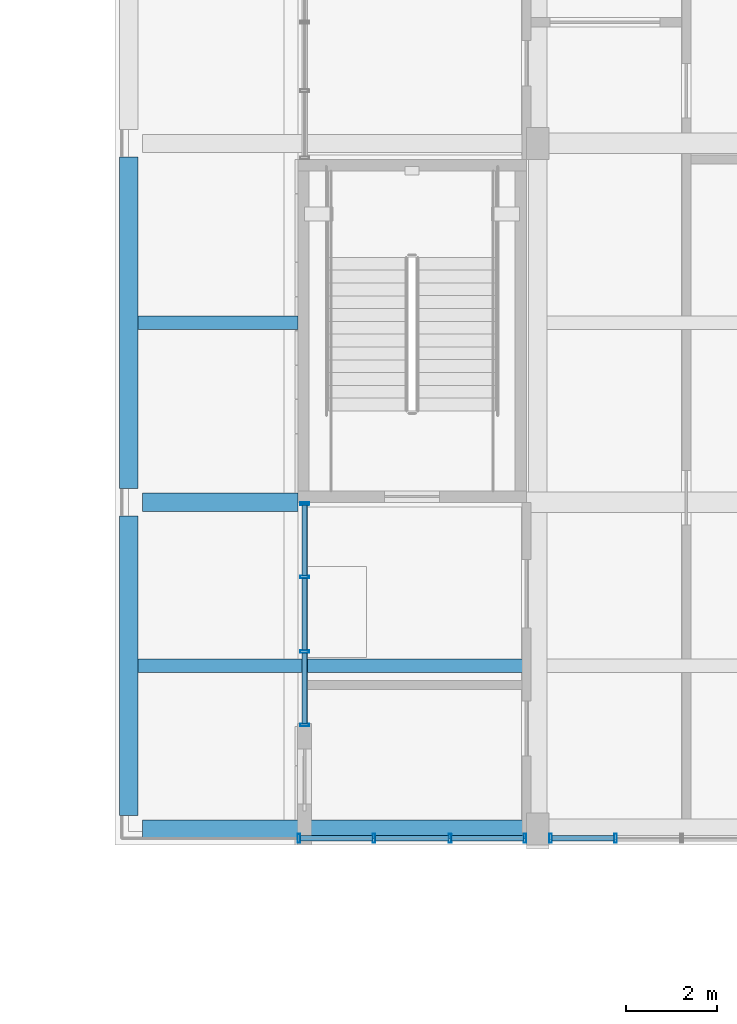
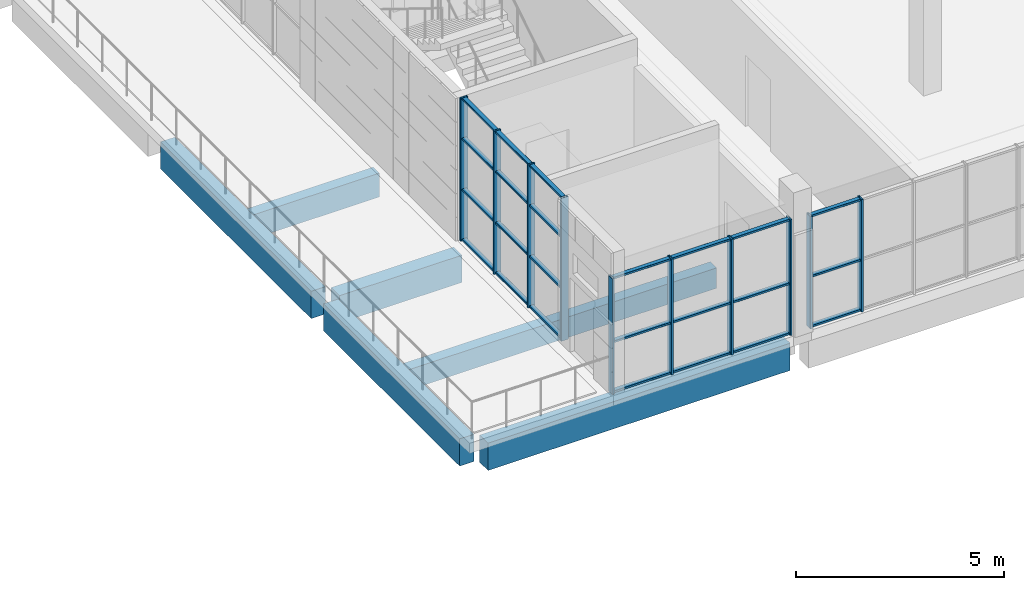
# One storey, part 6 of 36: 34 members, 6 beams, 3 elements without a shape of their own.
"""IFC4 building model written with IfcOpenShell, lengths in metres."""

from ifc_helpers import new_model, si_unit, direction, frame, origin, origin_2d, place, context, subcontext, project, spatial, rectangle, hollow_rectangle, extrude, material, material_profile, profile_set, type_object, element, aggregate, save


model = new_model("IFC4")

# Units and contexts
model_context = context("Model", 3, precision=1e-05, world=origin(), true_north=direction((0.0, 1.0)))
body_context = subcontext(model_context, "Body", "Model", "MODEL_VIEW")
ifc_project = project(units=[si_unit("LENGTHUNIT", "METRE"), si_unit("AREAUNIT", "SQUARE_METRE"), si_unit("VOLUMEUNIT", "CUBIC_METRE"), si_unit("PLANEANGLEUNIT", "RADIAN"), si_unit("MASSUNIT", "GRAM", prefix="KILO")], contexts=[model_context])

# Site, building, storey
site_placement = place(None, origin())
site = spatial("IfcSite", under=ifc_project, at=site_placement, CompositionType="ELEMENT")
building_placement = place(site_placement, origin())
building = spatial("IfcBuilding", under=site, at=building_placement, Name="Sun Court Science Centre", CompositionType="ELEMENT")
storey_placement = place(building_placement, frame((0.0, 0.0, 24.75)))
storey = spatial("IfcBuildingStorey", under=building, at=storey_placement, Name="L05", CompositionType="ELEMENT", Elevation=24.75)

# Curtain wall, members
ifc_material_1 = material(Name="Aluminium EN AW-6063 T6", Category="aluminium")
curtain_wall_type = type_object("IfcCurtainWallType", Name="Laboratory tall bay curtain wall 1500", PredefinedType="NOTDEFINED", material=ifc_material_1)
curtain_wall_1_placement = place(storey_placement, origin())
curtain_wall_1 = element("IfcCurtainWall", 1, at=curtain_wall_1_placement, inside=storey, type_object=curtain_wall_type, Name="Curtain wall V4 W5 L05 01", PredefinedType="NOTDEFINED")
ifc_material_2 = material(Name="Aluminium EN AW-6063 T6", Category="aluminium")
ifc_material_profile_1 = material_profile(ifc_material_2, hollow_rectangle(XDim=0.06005859375, YDim=0.199951171875, WallThickness=0.0048828125, InnerFilletRadius=0.0048828125, OuterFilletRadius=0.007568359375, at=origin_2d()), Name="AL 60x200x5")
ifc_profile_set_1 = profile_set([ifc_material_profile_1], Name="Aluminium EN AW-6063 T6")
member_type_1 = type_object("IfcMemberType", Name="Curtain wall mullion AL 60x200", PredefinedType="MULLION", material=ifc_profile_set_1)
member_1_placement = place(storey_placement, frame((82.14990234375, 31.1298828125, 0.0), z_axis=(0.0, 0.0, 1.0), x_axis=(0.0, 1.0, 0.0)))
member_1 = element("IfcMember", 2, at=member_1_placement, type_object=member_type_1, Name="CW2-44 mullion 1", PredefinedType="MULLION", context=body_context, shape_type="SweptSolid", body=[
    extrude(hollow_rectangle(XDim=0.06005859375, YDim=0.199951171875, WallThickness=0.0048828125, InnerFilletRadius=0.0048828125, OuterFilletRadius=0.007568359375, at=origin_2d()), origin(), (0.0, 0.0, 1.0), 4.199951171875),
])
member_2_placement = place(storey_placement, frame((82.14990234375, 32.7333984375, 0.0), z_axis=(0.0, 0.0, 1.0), x_axis=(0.0, 1.0, 0.0)))
member_2 = element("IfcMember", 3, at=member_2_placement, type_object=member_type_1, Name="CW2-44 mullion 2", PredefinedType="MULLION", context=body_context, shape_type="SweptSolid", body=[
    extrude(hollow_rectangle(XDim=0.06005859375, YDim=0.199951171875, WallThickness=0.0048828125, InnerFilletRadius=0.0048828125, OuterFilletRadius=0.007568359375, at=origin_2d()), origin(), (0.0, 0.0, 1.0), 4.199951171875),
])
member_3_placement = place(storey_placement, frame((82.14990234375, 34.36669921875, 0.0), z_axis=(0.0, 0.0, 1.0), x_axis=(0.0, 1.0, 0.0)))
member_3 = element("IfcMember", 4, at=member_3_placement, type_object=member_type_1, Name="CW2-44 mullion 3", PredefinedType="MULLION", context=body_context, shape_type="SweptSolid", body=[
    extrude(hollow_rectangle(XDim=0.06005859375, YDim=0.199951171875, WallThickness=0.0048828125, InnerFilletRadius=0.0048828125, OuterFilletRadius=0.007568359375, at=origin_2d()), origin(), (0.0, 0.0, 1.0), 4.199951171875),
])
member_4_placement = place(storey_placement, frame((82.14990234375, 35.969970703125, 0.0), z_axis=(0.0, 0.0, 1.0), x_axis=(0.0, 1.0, 0.0)))
member_4 = element("IfcMember", 5, at=member_4_placement, type_object=member_type_1, Name="CW2-44 mullion 4", PredefinedType="MULLION", context=body_context, shape_type="SweptSolid", body=[
    extrude(hollow_rectangle(XDim=0.06005859375, YDim=0.199951171875, WallThickness=0.0048828125, InnerFilletRadius=0.0048828125, OuterFilletRadius=0.007568359375, at=origin_2d()), origin(), (0.0, 0.0, 1.0), 4.199951171875),
])

curtain_wall_2_placement = place(storey_placement, origin())
curtain_wall_2 = element("IfcCurtainWall", 6, at=curtain_wall_2_placement, inside=storey, type_object=curtain_wall_type, Name="Curtain wall V4 S4 L05 02", PredefinedType="NOTDEFINED")
member_5_placement = place(storey_placement, frame((87.530029296875, 28.64990234375, 0.0), z_axis=(0.0, 0.0, 1.0), x_axis=(-1.0, 0.0, 0.0)))
member_5 = element("IfcMember", 7, at=member_5_placement, type_object=member_type_1, Name="CW2-59 mullion 6", PredefinedType="MULLION", context=body_context, shape_type="SweptSolid", body=[
    extrude(hollow_rectangle(XDim=0.06005859375, YDim=0.199951171875, WallThickness=0.0048828125, InnerFilletRadius=0.0048828125, OuterFilletRadius=0.007568359375, at=origin_2d()), origin(), (0.0, 0.0, 1.0), 3.300048828125),
])
member_6_placement = place(storey_placement, frame((88.949951171875, 28.64990234375, 0.0), z_axis=(0.0, 0.0, 1.0), x_axis=(-1.0, 0.0, 0.0)))
member_6 = element("IfcMember", 8, at=member_6_placement, type_object=member_type_1, Name="CW2-59 mullion 5", PredefinedType="MULLION", context=body_context, shape_type="SweptSolid", body=[
    extrude(hollow_rectangle(XDim=0.06005859375, YDim=0.199951171875, WallThickness=0.0048828125, InnerFilletRadius=0.0048828125, OuterFilletRadius=0.007568359375, at=origin_2d()), origin(), (0.0, 0.0, 1.0), 3.300048828125),
])

curtain_wall_3_placement = place(storey_placement, origin())
curtain_wall_3 = element("IfcCurtainWall", 9, at=curtain_wall_3_placement, inside=storey, type_object=curtain_wall_type, Name="Curtain wall V4 S4 L05 03", PredefinedType="NOTDEFINED")
member_7_placement = place(storey_placement, frame((82.030029296875, 28.64990234375, 0.0), z_axis=(0.0, 0.0, 1.0), x_axis=(-1.0, 0.0, 0.0)))
member_7 = element("IfcMember", 10, at=member_7_placement, type_object=member_type_1, Name="CW2-60 mullion 4", PredefinedType="MULLION", context=body_context, shape_type="SweptSolid", body=[
    extrude(hollow_rectangle(XDim=0.06005859375, YDim=0.199951171875, WallThickness=0.0048828125, InnerFilletRadius=0.0048828125, OuterFilletRadius=0.007568359375, at=origin_2d()), origin(), (0.0, 0.0, 1.0), 3.39990234375),
])
member_8_placement = place(storey_placement, frame((83.666748046875, 28.64990234375, 0.0), z_axis=(0.0, 0.0, 1.0), x_axis=(-1.0, 0.0, 0.0)))
member_8 = element("IfcMember", 11, at=member_8_placement, type_object=member_type_1, Name="CW2-60 mullion 3", PredefinedType="MULLION", context=body_context, shape_type="SweptSolid", body=[
    extrude(hollow_rectangle(XDim=0.06005859375, YDim=0.199951171875, WallThickness=0.0048828125, InnerFilletRadius=0.0048828125, OuterFilletRadius=0.007568359375, at=origin_2d()), origin(), (0.0, 0.0, 1.0), 3.39990234375),
])
member_9_placement = place(storey_placement, frame((85.333251953125, 28.64990234375, 0.0), z_axis=(0.0, 0.0, 1.0), x_axis=(-1.0, 0.0, 0.0)))
member_9 = element("IfcMember", 12, at=member_9_placement, type_object=member_type_1, Name="CW2-60 mullion 2", PredefinedType="MULLION", context=body_context, shape_type="SweptSolid", body=[
    extrude(hollow_rectangle(XDim=0.06005859375, YDim=0.199951171875, WallThickness=0.0048828125, InnerFilletRadius=0.0048828125, OuterFilletRadius=0.007568359375, at=origin_2d()), origin(), (0.0, 0.0, 1.0), 3.39990234375),
])
member_10_placement = place(storey_placement, frame((86.969970703125, 28.64990234375, 0.0), z_axis=(0.0, 0.0, 1.0), x_axis=(-1.0, 0.0, 0.0)))
member_10 = element("IfcMember", 13, at=member_10_placement, type_object=member_type_1, Name="CW2-60 mullion 1", PredefinedType="MULLION", context=body_context, shape_type="SweptSolid", body=[
    extrude(hollow_rectangle(XDim=0.06005859375, YDim=0.199951171875, WallThickness=0.0048828125, InnerFilletRadius=0.0048828125, OuterFilletRadius=0.007568359375, at=origin_2d()), origin(), (0.0, 0.0, 1.0), 3.39990234375),
])

# Member
ifc_material_3 = material(Name="Aluminium EN AW-6063 T6", Category="aluminium")
ifc_material_profile_2 = material_profile(ifc_material_3, hollow_rectangle(XDim=0.06005859375, YDim=0.1201171875, WallThickness=0.00390625, InnerFilletRadius=0.00390625, OuterFilletRadius=0.006103515625, at=origin_2d()), Name="AL 60x120x4")
ifc_profile_set_2 = profile_set([ifc_material_profile_2], Name="Aluminium EN AW-6063 T6")
member_type_2 = type_object("IfcMemberType", Name="Curtain wall transom AL 60x120", PredefinedType="USERDEFINED", material=ifc_profile_set_2)
member_11_placement = place(storey_placement, frame((82.14990234375, 31.159912109375, 0.030029296875), z_axis=(0.0, 1.0, 0.0), x_axis=(0.0, 0.0, 1.0)))
member_11 = element("IfcMember", 14, at=member_11_placement, type_object=member_type_2, Name="CW2-44 transom 1.1", ObjectType="TRANSOM", PredefinedType="USERDEFINED", context=body_context, shape_type="SweptSolid", body=[
    extrude(hollow_rectangle(XDim=0.06005859375, YDim=0.1201171875, WallThickness=0.00390625, InnerFilletRadius=0.00390625, OuterFilletRadius=0.006103515625, at=origin_2d()), origin(), (0.0, 0.0, 1.0), 1.54345703125),
])

member_12_placement = place(storey_placement, frame((82.14990234375, 32.763427734375, 0.030029296875), z_axis=(0.0, 1.0, 0.0), x_axis=(0.0, 0.0, 1.0)))
member_12 = element("IfcMember", 15, at=member_12_placement, type_object=member_type_2, Name="CW2-44 transom 2.1", ObjectType="TRANSOM", PredefinedType="USERDEFINED", context=body_context, shape_type="SweptSolid", body=[
    extrude(hollow_rectangle(XDim=0.06005859375, YDim=0.1201171875, WallThickness=0.00390625, InnerFilletRadius=0.00390625, OuterFilletRadius=0.006103515625, at=origin_2d()), origin(), (0.0, 0.0, 1.0), 1.5732421875),
])

member_13_placement = place(storey_placement, frame((82.14990234375, 34.396728515625, 0.030029296875), z_axis=(0.0, 1.0, 0.0), x_axis=(0.0, 0.0, 1.0)))
member_13 = element("IfcMember", 16, at=member_13_placement, type_object=member_type_2, Name="CW2-44 transom 3.1", ObjectType="TRANSOM", PredefinedType="USERDEFINED", context=body_context, shape_type="SweptSolid", body=[
    extrude(hollow_rectangle(XDim=0.06005859375, YDim=0.1201171875, WallThickness=0.00390625, InnerFilletRadius=0.00390625, OuterFilletRadius=0.006103515625, at=origin_2d()), origin(), (0.0, 0.0, 1.0), 1.543212890625),
])

member_14_placement = place(storey_placement, frame((82.14990234375, 31.159912109375, 1.5), z_axis=(0.0, 1.0, 0.0), x_axis=(0.0, 0.0, 1.0)))
member_14 = element("IfcMember", 17, at=member_14_placement, type_object=member_type_2, Name="CW2-44 transom 1.2", ObjectType="TRANSOM", PredefinedType="USERDEFINED", context=body_context, shape_type="SweptSolid", body=[
    extrude(hollow_rectangle(XDim=0.06005859375, YDim=0.1201171875, WallThickness=0.00390625, InnerFilletRadius=0.00390625, OuterFilletRadius=0.006103515625, at=origin_2d()), origin(), (0.0, 0.0, 1.0), 1.54345703125),
])

member_15_placement = place(storey_placement, frame((82.14990234375, 32.763427734375, 1.5), z_axis=(0.0, 1.0, 0.0), x_axis=(0.0, 0.0, 1.0)))
member_15 = element("IfcMember", 18, at=member_15_placement, type_object=member_type_2, Name="CW2-44 transom 2.2", ObjectType="TRANSOM", PredefinedType="USERDEFINED", context=body_context, shape_type="SweptSolid", body=[
    extrude(hollow_rectangle(XDim=0.06005859375, YDim=0.1201171875, WallThickness=0.00390625, InnerFilletRadius=0.00390625, OuterFilletRadius=0.006103515625, at=origin_2d()), origin(), (0.0, 0.0, 1.0), 1.5732421875),
])

member_16_placement = place(storey_placement, frame((82.14990234375, 34.396728515625, 1.5), z_axis=(0.0, 1.0, 0.0), x_axis=(0.0, 0.0, 1.0)))
member_16 = element("IfcMember", 19, at=member_16_placement, type_object=member_type_2, Name="CW2-44 transom 3.2", ObjectType="TRANSOM", PredefinedType="USERDEFINED", context=body_context, shape_type="SweptSolid", body=[
    extrude(hollow_rectangle(XDim=0.06005859375, YDim=0.1201171875, WallThickness=0.00390625, InnerFilletRadius=0.00390625, OuterFilletRadius=0.006103515625, at=origin_2d()), origin(), (0.0, 0.0, 1.0), 1.543212890625),
])

member_17_placement = place(storey_placement, frame((82.14990234375, 31.159912109375, 3.0), z_axis=(0.0, 1.0, 0.0), x_axis=(0.0, 0.0, 1.0)))
member_17 = element("IfcMember", 20, at=member_17_placement, type_object=member_type_2, Name="CW2-44 transom 1.3", ObjectType="TRANSOM", PredefinedType="USERDEFINED", context=body_context, shape_type="SweptSolid", body=[
    extrude(hollow_rectangle(XDim=0.06005859375, YDim=0.1201171875, WallThickness=0.00390625, InnerFilletRadius=0.00390625, OuterFilletRadius=0.006103515625, at=origin_2d()), origin(), (0.0, 0.0, 1.0), 1.54345703125),
])

member_18_placement = place(storey_placement, frame((82.14990234375, 32.763427734375, 3.0), z_axis=(0.0, 1.0, 0.0), x_axis=(0.0, 0.0, 1.0)))
member_18 = element("IfcMember", 21, at=member_18_placement, type_object=member_type_2, Name="CW2-44 transom 2.3", ObjectType="TRANSOM", PredefinedType="USERDEFINED", context=body_context, shape_type="SweptSolid", body=[
    extrude(hollow_rectangle(XDim=0.06005859375, YDim=0.1201171875, WallThickness=0.00390625, InnerFilletRadius=0.00390625, OuterFilletRadius=0.006103515625, at=origin_2d()), origin(), (0.0, 0.0, 1.0), 1.5732421875),
])

member_19_placement = place(storey_placement, frame((82.14990234375, 34.396728515625, 3.0), z_axis=(0.0, 1.0, 0.0), x_axis=(0.0, 0.0, 1.0)))
member_19 = element("IfcMember", 22, at=member_19_placement, type_object=member_type_2, Name="CW2-44 transom 3.3", ObjectType="TRANSOM", PredefinedType="USERDEFINED", context=body_context, shape_type="SweptSolid", body=[
    extrude(hollow_rectangle(XDim=0.06005859375, YDim=0.1201171875, WallThickness=0.00390625, InnerFilletRadius=0.00390625, OuterFilletRadius=0.006103515625, at=origin_2d()), origin(), (0.0, 0.0, 1.0), 1.543212890625),
])

member_20_placement = place(storey_placement, frame((82.14990234375, 31.159912109375, 4.169921875), z_axis=(0.0, 1.0, 0.0), x_axis=(0.0, 0.0, 1.0)))
member_20 = element("IfcMember", 23, at=member_20_placement, type_object=member_type_2, Name="CW2-44 transom 1.4", ObjectType="TRANSOM", PredefinedType="USERDEFINED", context=body_context, shape_type="SweptSolid", body=[
    extrude(hollow_rectangle(XDim=0.06005859375, YDim=0.1201171875, WallThickness=0.00390625, InnerFilletRadius=0.00390625, OuterFilletRadius=0.006103515625, at=origin_2d()), origin(), (0.0, 0.0, 1.0), 1.54345703125),
])

member_21_placement = place(storey_placement, frame((82.14990234375, 32.763427734375, 4.169921875), z_axis=(0.0, 1.0, 0.0), x_axis=(0.0, 0.0, 1.0)))
member_21 = element("IfcMember", 24, at=member_21_placement, type_object=member_type_2, Name="CW2-44 transom 2.4", ObjectType="TRANSOM", PredefinedType="USERDEFINED", context=body_context, shape_type="SweptSolid", body=[
    extrude(hollow_rectangle(XDim=0.06005859375, YDim=0.1201171875, WallThickness=0.00390625, InnerFilletRadius=0.00390625, OuterFilletRadius=0.006103515625, at=origin_2d()), origin(), (0.0, 0.0, 1.0), 1.5732421875),
])

member_22_placement = place(storey_placement, frame((82.14990234375, 34.396728515625, 4.169921875), z_axis=(0.0, 1.0, 0.0), x_axis=(0.0, 0.0, 1.0)))
member_22 = element("IfcMember", 25, at=member_22_placement, type_object=member_type_2, Name="CW2-44 transom 3.4", ObjectType="TRANSOM", PredefinedType="USERDEFINED", context=body_context, shape_type="SweptSolid", body=[
    extrude(hollow_rectangle(XDim=0.06005859375, YDim=0.1201171875, WallThickness=0.00390625, InnerFilletRadius=0.00390625, OuterFilletRadius=0.006103515625, at=origin_2d()), origin(), (0.0, 0.0, 1.0), 1.543212890625),
])

aggregate(curtain_wall_1, [member_1, member_2, member_3, member_4, member_11, member_12, member_13, member_14, member_15, member_16, member_17, member_18, member_19, member_20, member_21, member_22])

member_23_placement = place(storey_placement, frame((88.919921875, 28.64990234375, 0.030029296875), z_axis=(-1.0, 0.0, 0.0), x_axis=(0.0, 0.0, 1.0)))
member_23 = element("IfcMember", 26, at=member_23_placement, type_object=member_type_2, Name="CW2-59 transom 5.1", ObjectType="TRANSOM", PredefinedType="USERDEFINED", context=body_context, shape_type="SweptSolid", body=[
    extrude(hollow_rectangle(XDim=0.06005859375, YDim=0.1201171875, WallThickness=0.00390625, InnerFilletRadius=0.00390625, OuterFilletRadius=0.006103515625, at=origin_2d()), origin(), (0.0, 0.0, 1.0), 1.35986328125),
])

member_24_placement = place(storey_placement, frame((88.919921875, 28.64990234375, 1.5), z_axis=(-1.0, 0.0, 0.0), x_axis=(0.0, 0.0, 1.0)))
member_24 = element("IfcMember", 27, at=member_24_placement, type_object=member_type_2, Name="CW2-59 transom 5.2", ObjectType="TRANSOM", PredefinedType="USERDEFINED", context=body_context, shape_type="SweptSolid", body=[
    extrude(hollow_rectangle(XDim=0.06005859375, YDim=0.1201171875, WallThickness=0.00390625, InnerFilletRadius=0.00390625, OuterFilletRadius=0.006103515625, at=origin_2d()), origin(), (0.0, 0.0, 1.0), 1.35986328125),
])

member_25_placement = place(storey_placement, frame((88.919921875, 28.64990234375, 3.27001953125), z_axis=(-1.0, 0.0, 0.0), x_axis=(0.0, 0.0, 1.0)))
member_25 = element("IfcMember", 28, at=member_25_placement, type_object=member_type_2, Name="CW2-59 transom 5.3", ObjectType="TRANSOM", PredefinedType="USERDEFINED", context=body_context, shape_type="SweptSolid", body=[
    extrude(hollow_rectangle(XDim=0.06005859375, YDim=0.1201171875, WallThickness=0.00390625, InnerFilletRadius=0.00390625, OuterFilletRadius=0.006103515625, at=origin_2d()), origin(), (0.0, 0.0, 1.0), 1.35986328125),
])

aggregate(curtain_wall_2, [member_5, member_6, member_23, member_24, member_25])

member_26_placement = place(storey_placement, frame((83.63671875, 28.64990234375, 0.030029296875), z_axis=(-1.0, 0.0, 0.0), x_axis=(0.0, 0.0, 1.0)))
member_26 = element("IfcMember", 29, at=member_26_placement, type_object=member_type_2, Name="CW2-60 transom 3.1", ObjectType="TRANSOM", PredefinedType="USERDEFINED", context=body_context, shape_type="SweptSolid", body=[
    extrude(hollow_rectangle(XDim=0.06005859375, YDim=0.1201171875, WallThickness=0.00390625, InnerFilletRadius=0.00390625, OuterFilletRadius=0.006103515625, at=origin_2d()), origin(), (0.0, 0.0, 1.0), 1.57666015625),
])

member_27_placement = place(storey_placement, frame((85.30322265625, 28.64990234375, 0.030029296875), z_axis=(-1.0, 0.0, 0.0), x_axis=(0.0, 0.0, 1.0)))
member_27 = element("IfcMember", 30, at=member_27_placement, type_object=member_type_2, Name="CW2-60 transom 2.1", ObjectType="TRANSOM", PredefinedType="USERDEFINED", context=body_context, shape_type="SweptSolid", body=[
    extrude(hollow_rectangle(XDim=0.06005859375, YDim=0.1201171875, WallThickness=0.00390625, InnerFilletRadius=0.00390625, OuterFilletRadius=0.006103515625, at=origin_2d()), origin(), (0.0, 0.0, 1.0), 1.6064453125),
])

member_28_placement = place(storey_placement, frame((86.93994140625, 28.64990234375, 0.030029296875), z_axis=(-1.0, 0.0, 0.0), x_axis=(0.0, 0.0, 1.0)))
member_28 = element("IfcMember", 31, at=member_28_placement, type_object=member_type_2, Name="CW2-60 transom 1.1", ObjectType="TRANSOM", PredefinedType="USERDEFINED", context=body_context, shape_type="SweptSolid", body=[
    extrude(hollow_rectangle(XDim=0.06005859375, YDim=0.1201171875, WallThickness=0.00390625, InnerFilletRadius=0.00390625, OuterFilletRadius=0.006103515625, at=origin_2d()), origin(), (0.0, 0.0, 1.0), 1.57666015625),
])

member_29_placement = place(storey_placement, frame((83.63671875, 28.64990234375, 1.5), z_axis=(-1.0, 0.0, 0.0), x_axis=(0.0, 0.0, 1.0)))
member_29 = element("IfcMember", 32, at=member_29_placement, type_object=member_type_2, Name="CW2-60 transom 3.2", ObjectType="TRANSOM", PredefinedType="USERDEFINED", context=body_context, shape_type="SweptSolid", body=[
    extrude(hollow_rectangle(XDim=0.06005859375, YDim=0.1201171875, WallThickness=0.00390625, InnerFilletRadius=0.00390625, OuterFilletRadius=0.006103515625, at=origin_2d()), origin(), (0.0, 0.0, 1.0), 1.57666015625),
])

member_30_placement = place(storey_placement, frame((85.30322265625, 28.64990234375, 1.5), z_axis=(-1.0, 0.0, 0.0), x_axis=(0.0, 0.0, 1.0)))
member_30 = element("IfcMember", 33, at=member_30_placement, type_object=member_type_2, Name="CW2-60 transom 2.2", ObjectType="TRANSOM", PredefinedType="USERDEFINED", context=body_context, shape_type="SweptSolid", body=[
    extrude(hollow_rectangle(XDim=0.06005859375, YDim=0.1201171875, WallThickness=0.00390625, InnerFilletRadius=0.00390625, OuterFilletRadius=0.006103515625, at=origin_2d()), origin(), (0.0, 0.0, 1.0), 1.6064453125),
])

member_31_placement = place(storey_placement, frame((86.93994140625, 28.64990234375, 1.5), z_axis=(-1.0, 0.0, 0.0), x_axis=(0.0, 0.0, 1.0)))
member_31 = element("IfcMember", 34, at=member_31_placement, type_object=member_type_2, Name="CW2-60 transom 1.2", ObjectType="TRANSOM", PredefinedType="USERDEFINED", context=body_context, shape_type="SweptSolid", body=[
    extrude(hollow_rectangle(XDim=0.06005859375, YDim=0.1201171875, WallThickness=0.00390625, InnerFilletRadius=0.00390625, OuterFilletRadius=0.006103515625, at=origin_2d()), origin(), (0.0, 0.0, 1.0), 1.57666015625),
])

member_32_placement = place(storey_placement, frame((83.63671875, 28.64990234375, 3.3701171875), z_axis=(-1.0, 0.0, 0.0), x_axis=(0.0, 0.0, 1.0)))
member_32 = element("IfcMember", 35, at=member_32_placement, type_object=member_type_2, Name="CW2-60 transom 3.3", ObjectType="TRANSOM", PredefinedType="USERDEFINED", context=body_context, shape_type="SweptSolid", body=[
    extrude(hollow_rectangle(XDim=0.06005859375, YDim=0.1201171875, WallThickness=0.00390625, InnerFilletRadius=0.00390625, OuterFilletRadius=0.006103515625, at=origin_2d()), origin(), (0.0, 0.0, 1.0), 1.57666015625),
])

member_33_placement = place(storey_placement, frame((85.30322265625, 28.64990234375, 3.3701171875), z_axis=(-1.0, 0.0, 0.0), x_axis=(0.0, 0.0, 1.0)))
member_33 = element("IfcMember", 36, at=member_33_placement, type_object=member_type_2, Name="CW2-60 transom 2.3", ObjectType="TRANSOM", PredefinedType="USERDEFINED", context=body_context, shape_type="SweptSolid", body=[
    extrude(hollow_rectangle(XDim=0.06005859375, YDim=0.1201171875, WallThickness=0.00390625, InnerFilletRadius=0.00390625, OuterFilletRadius=0.006103515625, at=origin_2d()), origin(), (0.0, 0.0, 1.0), 1.6064453125),
])

member_34_placement = place(storey_placement, frame((86.93994140625, 28.64990234375, 3.3701171875), z_axis=(-1.0, 0.0, 0.0), x_axis=(0.0, 0.0, 1.0)))
member_34 = element("IfcMember", 37, at=member_34_placement, type_object=member_type_2, Name="CW2-60 transom 1.3", ObjectType="TRANSOM", PredefinedType="USERDEFINED", context=body_context, shape_type="SweptSolid", body=[
    extrude(hollow_rectangle(XDim=0.06005859375, YDim=0.1201171875, WallThickness=0.00390625, InnerFilletRadius=0.00390625, OuterFilletRadius=0.006103515625, at=origin_2d()), origin(), (0.0, 0.0, 1.0), 1.57666015625),
])

aggregate(curtain_wall_3, [member_7, member_8, member_9, member_10, member_26, member_27, member_28, member_29, member_30, member_31, member_32, member_33, member_34])

# Beams
ifc_material_4 = material(Name="Concrete C25/30", Category="concrete")
ifc_material_profile_3 = material_profile(ifc_material_4, rectangle(XDim=0.39990234375, YDim=0.800048828125, at=origin_2d()), Name="RC 400x800")
ifc_profile_set_3 = profile_set([ifc_material_profile_3], Name="Concrete C25/30")
beam_type_1 = type_object("IfcBeamType", Name="RC girder 400x800", PredefinedType="BEAM", material=ifc_profile_set_3)
beam_1_placement = place(storey_placement, frame((78.60009765625, 28.85009765625, -0.699951171875), z_axis=(1.0, 0.0, 0.0), x_axis=(0.0, 1.0, 0.0)))
element("IfcBeam", 38, at=beam_1_placement, inside=storey, type_object=beam_type_1, Name="Girder L05 row 1", PredefinedType="BEAM", context=body_context, shape_type="SweptSolid", body=[
    extrude(rectangle(XDim=0.39990234375, YDim=0.800048828125, at=origin_2d()), origin(), (0.0, 0.0, 1.0), 8.39990234375),
])
beam_2_placement = place(storey_placement, frame((78.60009765625, 36.0, -0.699951171875), z_axis=(1.0, 0.0, 0.0), x_axis=(0.0, 1.0, 0.0)))
element("IfcBeam", 39, at=beam_2_placement, inside=storey, type_object=beam_type_1, Name="Girder L05 row 2", PredefinedType="BEAM", context=body_context, shape_type="SweptSolid", body=[
    extrude(rectangle(XDim=0.39990234375, YDim=0.800048828125, at=origin_2d()), origin(), (0.0, 0.0, 1.0), 3.39990234375),
])
beam_3_placement = place(storey_placement, frame((78.300048828125, 29.14990234375, -0.699951171875), z_axis=(0.0, 1.0, 0.0), x_axis=(-1.0, 0.0, 0.0)))
element("IfcBeam", 40, at=beam_3_placement, inside=storey, type_object=beam_type_1, Name="Girder L05 line 1", PredefinedType="BEAM", context=body_context, shape_type="SweptSolid", body=[
    extrude(rectangle(XDim=0.39990234375, YDim=0.800048828125, at=origin_2d()), origin(), (0.0, 0.0, 1.0), 6.550048828125),
])
beam_4_placement = place(storey_placement, frame((78.300048828125, 36.300048828125, -0.699951171875), z_axis=(0.0, 1.0, 0.0), x_axis=(-1.0, 0.0, 0.0)))
element("IfcBeam", 41, at=beam_4_placement, inside=storey, type_object=beam_type_1, Name="Girder L05 line 1", PredefinedType="BEAM", context=body_context, shape_type="SweptSolid", body=[
    extrude(rectangle(XDim=0.39990234375, YDim=0.800048828125, at=origin_2d()), origin(), (0.0, 0.0, 1.0), 7.25),
])
ifc_material_5 = material(Name="Concrete C25/30", Category="concrete")
ifc_material_profile_4 = material_profile(ifc_material_5, rectangle(XDim=0.300048828125, YDim=0.60009765625, at=origin_2d()), Name="RC 300x600")
ifc_profile_set_4 = profile_set([ifc_material_profile_4], Name="Concrete C25/30")
beam_type_2 = type_object("IfcBeamType", Name="RC joist 300x600", PredefinedType="JOIST", material=ifc_profile_set_4)
beam_5_placement = place(storey_placement, frame((78.5, 32.425048828125, -0.60009765625), z_axis=(1.0, 0.0, 0.0), x_axis=(0.0, 1.0, 0.0)))
element("IfcBeam", 42, at=beam_5_placement, inside=storey, type_object=beam_type_2, Name="Joist L05", PredefinedType="JOIST", context=body_context, shape_type="SweptSolid", body=[
    extrude(rectangle(XDim=0.300048828125, YDim=0.60009765625, at=origin_2d()), origin(), (0.0, 0.0, 1.0), 8.550048828125),
])
ifc_material_6 = material(Name="Concrete C25/30", Category="concrete")
ifc_material_profile_5 = material_profile(ifc_material_6, rectangle(XDim=0.300048828125, YDim=0.699951171875, at=origin_2d()), Name="RC 300x700")
ifc_profile_set_5 = profile_set([ifc_material_profile_5], Name="Concrete C25/30")
beam_type_3 = type_object("IfcBeamType", Name="RC joist 300x700", PredefinedType="JOIST", material=ifc_profile_set_5)
beam_6_placement = place(storey_placement, frame((78.5, 39.925048828125, -0.64990234375), z_axis=(1.0, 0.0, 0.0), x_axis=(0.0, 1.0, 0.0)))
element("IfcBeam", 43, at=beam_6_placement, inside=storey, type_object=beam_type_3, Name="Joist L05", PredefinedType="JOIST", context=body_context, shape_type="SweptSolid", body=[
    extrude(rectangle(XDim=0.300048828125, YDim=0.699951171875, at=origin_2d()), origin(), (0.0, 0.0, 1.0), 3.5),
])

save(model, "model.ifc")
